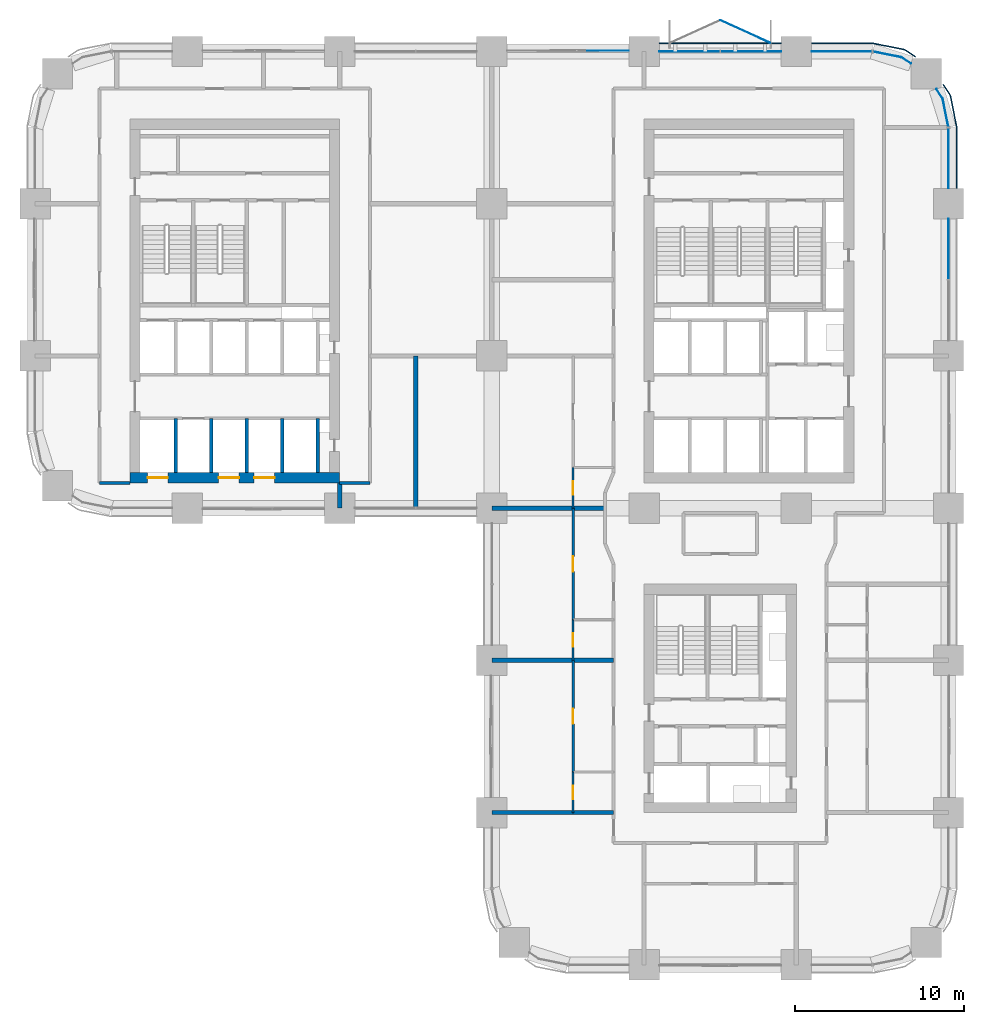
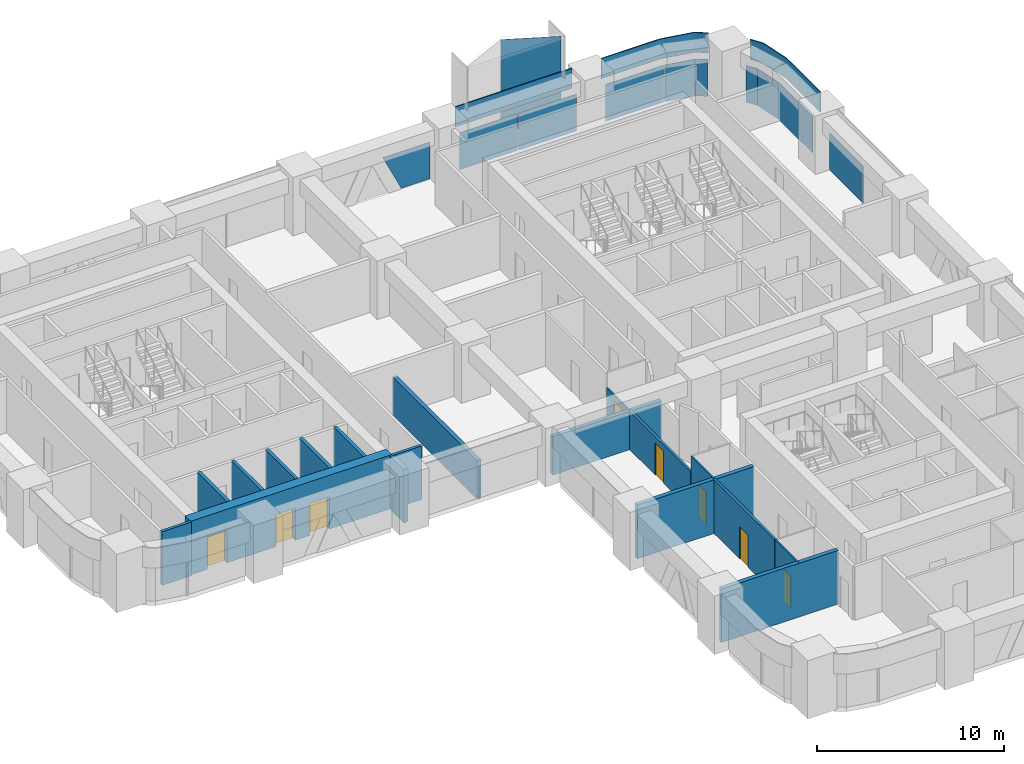
# One storey, part 11 of 26: 18 walls, 12 plates, 8 doors, 8 openings, 5 elements without a shape of their own.
"""IFC4 building model written with IfcOpenShell, lengths in metres."""

from ifc_helpers import new_model, si_unit, direction, frame, frame_2d, origin, origin_2d, place, context, subcontext, project, spatial, polyline, rectangle, outline, extrude, material, layer, layer_set, type_object, element, fill, aggregate, save


model = new_model("IFC4")

# Units and contexts
model_context = context("Model", 3, precision=1e-05, world=origin(), true_north=direction((0.0, 1.0)))
body_context = subcontext(model_context, "Body", "Model", "MODEL_VIEW")
ifc_project = project(units=[si_unit("LENGTHUNIT", "METRE"), si_unit("AREAUNIT", "SQUARE_METRE"), si_unit("VOLUMEUNIT", "CUBIC_METRE"), si_unit("PLANEANGLEUNIT", "RADIAN"), si_unit("MASSUNIT", "GRAM", prefix="KILO")], contexts=[model_context])

# Site, building, storey
site_placement = place(None, origin())
site = spatial("IfcSite", under=ifc_project, at=site_placement, CompositionType="ELEMENT")
building_placement = place(site_placement, origin())
building = spatial("IfcBuilding", under=site, at=building_placement, Name="Tessera Arch", CompositionType="ELEMENT")
storey_placement = place(building_placement, frame((0.0, 0.0, 96.800048828125)))
storey = spatial("IfcBuildingStorey", under=building, at=storey_placement, Name="L22", CompositionType="ELEMENT", Elevation=96.800048828125)

# Curtain wall, plates
ifc_material_1 = material(Name="CW1 curtain wall")
curtain_wall_type_1 = type_object("IfcCurtainWallType", Name="CW1 curtain wall", PredefinedType="NOTDEFINED", material=ifc_material_1)
curtain_wall_1_placement = place(storey_placement, origin())
curtain_wall_1 = element("IfcCurtainWall", 1, at=curtain_wall_1_placement, inside=storey, type_object=curtain_wall_type_1, Name="CW1 curtain wall N54.0/0 L22", PredefinedType="NOTDEFINED")
ifc_material_2 = material(Name="Clear low-e glass", Category="glass")
ifc_material_3 = material(Name="Clear low-e glass", Category="glass")
ifc_layer_1 = layer(ifc_material_3, 0.028076171875)
ifc_layer_set_1 = layer_set([ifc_layer_1], Name="CW1 glass panel")
plate_type_1 = type_object("IfcPlateType", Name="CW1 glass panel", PredefinedType="CURTAIN_PANEL", material=ifc_layer_set_1)
plate_1_placement = place(storey_placement, frame((42.31494140625, 54.0, 0.0), z_axis=(0.0, 0.0, 1.0), x_axis=(-1.0, 0.0, 0.0)))
plate_1 = element("IfcPlate", 2, at=plate_1_placement, type_object=plate_type_1, material=ifc_material_2, Name="CW1 glass panel N54.0/0 1.1.1", PredefinedType="CURTAIN_PANEL", context=body_context, shape_type="SweptSolid", body=[
    extrude(rectangle(XDim=3.570068359375, YDim=0.028076171875, at=origin_2d()), origin(), (0.0, 0.0, 1.0), 2.39990234375),
])
plate_2_placement = place(storey_placement, frame((38.68505859375, 54.0, 0.0), z_axis=(0.0, 0.0, 1.0), x_axis=(-1.0, 0.0, 0.0)))
plate_2 = element("IfcPlate", 3, at=plate_2_placement, type_object=plate_type_1, material=ifc_material_2, Name="CW1 glass panel N54.0/0 1.2.1", PredefinedType="CURTAIN_PANEL", context=body_context, shape_type="SweptSolid", body=[
    extrude(rectangle(XDim=3.570068359375, YDim=0.028076171875, at=origin_2d()), origin(), (0.0, 0.0, 1.0), 2.39990234375),
])

# Curtain wall, plate
curtain_wall_2_placement = place(storey_placement, origin())
curtain_wall_2 = element("IfcCurtainWall", 4, at=curtain_wall_2_placement, inside=storey, type_object=curtain_wall_type_1, Name="CW1 curtain wall E54.0/4 L22", PredefinedType="NOTDEFINED")
plate_3_placement = place(storey_placement, frame((54.0, 42.31494140625, 0.0), z_axis=(0.0, 0.0, 1.0), x_axis=(0.0, 1.0, 0.0)))
plate_3 = element("IfcPlate", 5, at=plate_3_placement, type_object=plate_type_1, material=ifc_material_2, Name="CW1 glass panel E54.0/4 1.2.1", PredefinedType="CURTAIN_PANEL", context=body_context, shape_type="SweptSolid", body=[
    extrude(rectangle(XDim=3.570068359375, YDim=0.028076171875, at=origin_2d()), origin(), (0.0, 0.0, 1.0), 2.39990234375),
])
aggregate(curtain_wall_2, [plate_3])

# Plate
ifc_material_4 = material(Name="Pale anodised aluminium panel", Category="aluminium")
ifc_layer_2 = layer(ifc_material_4, 0.06005859375)
ifc_layer_set_2 = layer_set([ifc_layer_2], Name="CW1 spandrel panel")
plate_type_2 = type_object("IfcPlateType", Name="CW1 spandrel panel", PredefinedType="CURTAIN_PANEL", material=ifc_layer_set_2)
plate_4_placement = place(storey_placement, frame((40.5, 54.47998046875, 2.5), z_axis=(0.0, 0.0, 1.0), x_axis=(-1.0, 0.0, 0.0)))
plate_4 = element("IfcPlate", 6, at=plate_4_placement, type_object=plate_type_2, Name="CW1 spandrel panel N54.0/0", PredefinedType="CURTAIN_PANEL", context=body_context, shape_type="SweptSolid", body=[
    extrude(rectangle(XDim=7.199951171875, YDim=0.06005859375, at=origin_2d()), origin(), (0.0, 0.0, 1.0), 1.300048828125),
])

aggregate(curtain_wall_1, [plate_1, plate_2, plate_4])

# Curtain wall, plates
ifc_material_5 = material(Name="CW2 curtain wall")
curtain_wall_type_2 = type_object("IfcCurtainWallType", Name="CW2 curtain wall", PredefinedType="NOTDEFINED", material=ifc_material_5)
curtain_wall_3_placement = place(storey_placement, origin())
curtain_wall_3 = element("IfcCurtainWall", 7, at=curtain_wall_3_placement, inside=storey, type_object=curtain_wall_type_2, Name="CW2 curtain wall E54.0/5 L22", PredefinedType="NOTDEFINED")
ifc_material_6 = material(Name="Clear low-e glass", Category="glass")
ifc_layer_3 = layer(ifc_material_6, 0.028076171875)
ifc_layer_set_3 = layer_set([ifc_layer_3], Name="CW2 glass panel")
plate_type_3 = type_object("IfcPlateType", Name="CW2 glass panel", PredefinedType="CURTAIN_PANEL", material=ifc_layer_set_3)
plate_5_placement = place(storey_placement, frame((54.0, 47.679931640625, 0.0), z_axis=(0.0, 0.0, 1.0), x_axis=(0.0, 1.0, 0.0)))
plate_5 = element("IfcPlate", 8, at=plate_5_placement, type_object=plate_type_3, material=ifc_material_2, Name="CW2 glass panel E54.0/5 1.1", PredefinedType="CURTAIN_PANEL", context=body_context, shape_type="SweptSolid", body=[
    extrude(rectangle(XDim=3.56005859375, YDim=0.028076171875, at=origin_2d()), origin(), (0.0, 0.0, 1.0), 2.39990234375),
])
plate_6_placement = place(storey_placement, origin())
plate_6 = element("IfcPlate", 9, at=plate_6_placement, type_object=plate_type_3, material=ifc_material_2, Name="CW2 curved glass panel E54.0/5 2.1", PredefinedType="CURTAIN_PANEL", context=body_context, shape_type="SweptSolid", body=[
    extrude(outline(polyline([(53.644287109375, 51.216552734375), (53.978515625, 49.53662109375), (54.005859375, 49.5419921875), (53.670654296875, 51.2275390625), (53.294921875, 51.789794921875), (53.271728515625, 51.774169921875), (53.644287109375, 51.216552734375)])), origin(), (0.0, 0.0, 1.0), 2.39990234375),
])

curtain_wall_4_placement = place(storey_placement, origin())
curtain_wall_4 = element("IfcCurtainWall", 10, at=curtain_wall_4_placement, inside=storey, type_object=curtain_wall_type_2, Name="CW2 curtain wall N54.0/5 L22", PredefinedType="NOTDEFINED")
plate_7_placement = place(storey_placement, frame((47.679931640625, 54.0, 0.0), z_axis=(0.0, 0.0, 1.0), x_axis=(-1.0, 0.0, 0.0)))
plate_7 = element("IfcPlate", 11, at=plate_7_placement, type_object=plate_type_3, material=ifc_material_2, Name="CW2 glass panel N54.0/5 1.1", PredefinedType="CURTAIN_PANEL", context=body_context, shape_type="SweptSolid", body=[
    extrude(rectangle(XDim=3.56005859375, YDim=0.028076171875, at=origin_2d()), origin(), (0.0, 0.0, 1.0), 2.39990234375),
])
plate_8_placement = place(storey_placement, origin())
plate_8 = element("IfcPlate", 12, at=plate_8_placement, type_object=plate_type_3, material=ifc_material_2, Name="CW2 curved glass panel N54.0/5 2.1", PredefinedType="CURTAIN_PANEL", context=body_context, shape_type="SweptSolid", body=[
    extrude(outline(polyline([(51.216552734375, 53.644287109375), (51.774169921875, 53.271728515625), (51.789794921875, 53.294921875), (51.2275390625, 53.670654296875), (49.5419921875, 54.005859375), (49.53662109375, 53.978515625), (51.216552734375, 53.644287109375)])), origin(), (0.0, 0.0, 1.0), 2.39990234375),
])

# Plate
ifc_material_7 = material(Name="Pale anodised aluminium panel", Category="aluminium")
ifc_layer_4 = layer(ifc_material_7, 0.06005859375)
ifc_layer_set_4 = layer_set([ifc_layer_4], Name="CW2 spandrel panel")
plate_type_4 = type_object("IfcPlateType", Name="CW2 spandrel panel", PredefinedType="CURTAIN_PANEL", material=ifc_layer_set_4)
plate_9_placement = place(storey_placement, frame((0.0, 0.0, 2.5)))
plate_9 = element("IfcPlate", 13, at=plate_9_placement, type_object=plate_type_4, Name="CW2 spandrel panel E54.0/5", PredefinedType="CURTAIN_PANEL", context=body_context, shape_type="SweptSolid", body=[
    extrude(outline(polyline([(54.449951171875, 49.499267578125), (54.449951171875, 45.89990234375), (54.510009765625, 45.89990234375), (54.510009765625, 49.500732421875), (54.507568359375, 49.550048828125), (54.500244140625, 49.598876953125), (54.157470703125, 51.322265625), (54.1455078125, 51.3701171875), (54.128662109375, 51.417236328125), (54.107177734375, 51.462646484375), (54.08203125, 51.5048828125), (53.707275390625, 52.0654296875), (53.657470703125, 52.031982421875), (54.03125, 51.47265625), (54.05419921875, 51.434326171875), (54.0732421875, 51.394287109375), (54.088134765625, 51.352783203125), (54.09912109375, 51.30908203125), (54.441162109375, 49.588623046875), (54.44775390625, 49.544189453125), (54.449951171875, 49.499267578125)])), origin(), (0.0, 0.0, 1.0), 1.300048828125),
])

aggregate(curtain_wall_3, [plate_5, plate_6, plate_9])

plate_10_placement = place(storey_placement, frame((0.0, 0.0, 2.5)))
plate_10 = element("IfcPlate", 14, at=plate_10_placement, type_object=plate_type_4, Name="CW2 spandrel panel N54.0/5", PredefinedType="CURTAIN_PANEL", context=body_context, shape_type="SweptSolid", body=[
    extrude(outline(polyline([(51.47265625, 54.03125), (52.031982421875, 53.657470703125), (52.0654296875, 53.707275390625), (51.5048828125, 54.08203125), (51.462646484375, 54.107177734375), (51.417236328125, 54.128662109375), (51.3701171875, 54.1455078125), (51.322265625, 54.157470703125), (49.598876953125, 54.500244140625), (49.550048828125, 54.507568359375), (49.500732421875, 54.510009765625), (45.89990234375, 54.510009765625), (45.89990234375, 54.449951171875), (49.499267578125, 54.449951171875), (49.544189453125, 54.44775390625), (49.588623046875, 54.441162109375), (51.30908203125, 54.09912109375), (51.352783203125, 54.088134765625), (51.394287109375, 54.0732421875), (51.434326171875, 54.05419921875), (51.47265625, 54.03125)])), origin(), (0.0, 0.0, 1.0), 1.300048828125),
])

aggregate(curtain_wall_4, [plate_7, plate_8, plate_10])

# Curtain wall, plate
ifc_material_8 = material(Name="CW3 curtain wall")
curtain_wall_type_3 = type_object("IfcCurtainWallType", Name="CW3 curtain wall", PredefinedType="NOTDEFINED", material=ifc_material_8)
curtain_wall_5_placement = place(storey_placement, origin())
curtain_wall_5 = element("IfcCurtainWall", 15, at=curtain_wall_5_placement, inside=storey, type_object=curtain_wall_type_3, Name="CW3 curtain wall N54.0/1 L22", PredefinedType="NOTDEFINED")
ifc_material_9 = material(Name="Clear low-e glass", Category="glass")
ifc_layer_5 = layer(ifc_material_9, 0.028076171875)
ifc_layer_set_5 = layer_set([ifc_layer_5], Name="CW3 glass panel")
plate_type_5 = type_object("IfcPlateType", Name="CW3 glass panel", PredefinedType="CURTAIN_PANEL", material=ifc_layer_set_5)
plate_11_placement = place(storey_placement, frame((35.10009765625, 54.05810546875, 0.0), z_axis=(0.0, 1.0, 0.0), x_axis=(-1.0, 0.0, 0.0)))
plate_11 = element("IfcPlate", 16, at=plate_11_placement, type_object=plate_type_5, material=ifc_material_2, Name="CW3 triangulated glass panel N54.0/1 1", PredefinedType="CURTAIN_PANEL", context=body_context, shape_type="SweptSolid", body=[
    extrude(outline(polyline([(0.0, 0.0), (1.780029296875, 0.0), (2.916748046875, 2.39990234375), (0.0, 2.39990234375), (0.0, 0.0)])), origin(), (0.0, 0.0, -1.0), 0.028076171875),
])
aggregate(curtain_wall_5, [plate_11])

# Plate
ifc_material_10 = material(Name="Clear low-e glass", Category="glass")
ifc_layer_6 = layer(ifc_material_10, 0.028076171875)
ifc_layer_set_6 = layer_set([ifc_layer_6], Name="Window box glass facet")
plate_type_6 = type_object("IfcPlateType", Name="Window box glass facet", PredefinedType="SHEET", material=ifc_layer_set_6)
plate_12_placement = place(storey_placement, frame((41.97509765625, 55.179931640625, 0.2197265625), z_axis=(0.0, 0.0, 1.0), x_axis=(-0.910472144558, 0.413570397858, 0.0)))
element("IfcPlate", 17, at=plate_12_placement, inside=storey, type_object=plate_type_6, Name="Window box N54.0/0.0 2x2 glass", PredefinedType="SHEET", context=body_context, shape_type="SweptSolid", body=[
    extrude(rectangle(XDim=3.239990234375, YDim=0.028076171875, at=origin_2d()), origin(), (0.0, 0.0, 1.0), 5.860107421875),
])

# Wall, openings, doors
ifc_material_11 = material(Name="Concrete C70/85", Category="concrete")
ifc_layer_7 = layer(ifc_material_11, 0.60009765625)
ifc_layer_set_7 = layer_set([ifc_layer_7], Name="Core shell wall 600 C70-85")
wall_type_1 = type_object("IfcWallType", Name="Core shell wall 600 C70-85", PredefinedType="SHEAR", material=ifc_layer_set_7)
wall_1_placement = place(storey_placement, frame((5.60009765625, 28.800048828125, 0.0), z_axis=(0.0, 0.0, 1.0), x_axis=(1.0, 0.0, 0.0)))
wall_1 = element("IfcWall", 18, at=wall_1_placement, inside=storey, type_object=wall_type_1, Name="L22 C2 core wall S", PredefinedType="SHEAR", context=body_context, shape_type="SweptSolid", body=[
    extrude(rectangle(XDim=12.39990234375, YDim=0.60009765625, at=frame_2d((6.199951171875, 0.0))), origin(), (0.0, 0.0, 1.0), 3.5),
])
opening_1_placement = place(wall_1_placement, frame((1.050048828125, 0.0, 0.0)))
opening_1 = element("IfcOpeningElement", 19, at=opening_1_placement, cuts=wall_1, Name="Opening L22-C13", PredefinedType="OPENING", context=body_context, shape_type="SweptSolid", body=[
    extrude(rectangle(XDim=1.199951171875, YDim=2.10009765625, at=frame_2d((0.60009765625, 1.050048828125))), frame((0.0, 0.31005859375, 0.0), z_axis=(0.0, -1.0, 0.0), x_axis=(1.0, 0.0, 0.0)), (0.0, 0.0, 1.0), 0.6201171875),
])
opening_2_placement = place(wall_1_placement, frame((5.25, 0.0, 0.0)))
opening_2 = element("IfcOpeningElement", 20, at=opening_2_placement, cuts=wall_1, Name="Opening L22-C15", PredefinedType="OPENING", context=body_context, shape_type="SweptSolid", body=[
    extrude(rectangle(XDim=1.199951171875, YDim=2.10009765625, at=frame_2d((0.60009765625, 1.050048828125))), frame((0.0, 0.31005859375, 0.0), z_axis=(0.0, -1.0, 0.0), x_axis=(1.0, 0.0, 0.0)), (0.0, 0.0, 1.0), 0.6201171875),
])
opening_3_placement = place(wall_1_placement, frame((7.35009765625, 0.0, 0.0)))
opening_3 = element("IfcOpeningElement", 21, at=opening_3_placement, cuts=wall_1, Name="Opening L22-C16", PredefinedType="OPENING", context=body_context, shape_type="SweptSolid", body=[
    extrude(rectangle(XDim=1.199951171875, YDim=2.10009765625, at=frame_2d((0.60009765625, 1.050048828125))), frame((0.0, 0.31005859375, 0.0), z_axis=(0.0, -1.0, 0.0), x_axis=(1.0, 0.0, 0.0)), (0.0, 0.0, 1.0), 0.6201171875),
])
ifc_material_12 = material(Name="Stainless steel AISI 304", Category="steel")
door_type_1 = type_object("IfcDoorType", Name="Sliding landing door 1200 x 2100", OperationType="SLIDING_TO_LEFT", PredefinedType="DOOR", material=ifc_material_12)
door_1_placement = place(opening_1_placement, origin())
door_1 = element("IfcDoor", 22, at=door_1_placement, inside=storey, type_object=door_type_1, Name="L22 LR1 lift landing door C13 type LD", OperationType="SLIDING_TO_LEFT", OverallHeight=2.10009765625, OverallWidth=1.199951171875, PredefinedType="DOOR", context=body_context, shape_type="SweptSolid", body=[
    extrude(rectangle(XDim=1.199951171875, YDim=2.10009765625, at=frame_2d((0.60009765625, 1.050048828125))), frame((0.0, 0.02490234375, 0.0), z_axis=(0.0, -1.0, 0.0), x_axis=(1.0, 0.0, 0.0)), (0.0, 0.0, 1.0), 0.050048828125),
])
fill(opening_1, door_1)
door_2_placement = place(opening_2_placement, origin())
door_2 = element("IfcDoor", 23, at=door_2_placement, inside=storey, type_object=door_type_1, Name="L22 LR3 lift landing door C15 type LD", OperationType="SLIDING_TO_LEFT", OverallHeight=2.10009765625, OverallWidth=1.199951171875, PredefinedType="DOOR", context=body_context, shape_type="SweptSolid", body=[
    extrude(rectangle(XDim=1.199951171875, YDim=2.10009765625, at=frame_2d((0.60009765625, 1.050048828125))), frame((0.0, 0.02490234375, 0.0), z_axis=(0.0, -1.0, 0.0), x_axis=(1.0, 0.0, 0.0)), (0.0, 0.0, 1.0), 0.050048828125),
])
fill(opening_2, door_2)
door_3_placement = place(opening_3_placement, origin())
door_3 = element("IfcDoor", 24, at=door_3_placement, inside=storey, type_object=door_type_1, Name="L22 LR4 lift landing door C16 type LD", OperationType="SLIDING_TO_LEFT", OverallHeight=2.10009765625, OverallWidth=1.199951171875, PredefinedType="DOOR", context=body_context, shape_type="SweptSolid", body=[
    extrude(rectangle(XDim=1.199951171875, YDim=2.10009765625, at=frame_2d((0.60009765625, 1.050048828125))), frame((0.0, 0.02490234375, 0.0), z_axis=(0.0, -1.0, 0.0), x_axis=(1.0, 0.0, 0.0)), (0.0, 0.0, 1.0), 0.050048828125),
])
fill(opening_3, door_3)

# Walls
ifc_material_13 = material(Name="Gypsum board on deep steel stud with mineral wool", Category="steel")
ifc_layer_8 = layer(ifc_material_13, 0.175048828125)
ifc_layer_set_8 = layer_set([ifc_layer_8], Name="Corridor wall 175 EI 60")
wall_type_2 = type_object("IfcWallType", Name="Corridor wall 175 EI 60", PredefinedType="PARTITIONING", material=ifc_layer_set_8)
for number, where, z_axis, x_axis, name in (
    (25, (3.800048828125, 28.5, 0.0), (0.0, 0.0, 1.0), (1.0, 0.0, 0.0), "L22 partition 5"),
    (26, (18.0, 28.5, 0.0), (0.0, 0.0, 1.0), (1.0, 0.0, 0.0), "L22 partition 6"),
):
    element("IfcWall", number, at=place(storey_placement, frame(where, z_axis=z_axis, x_axis=x_axis)), inside=storey, type_object=wall_type_2, Name=name, PredefinedType="PARTITIONING", context=body_context, shape_type="SweptSolid", body=[
        extrude(rectangle(XDim=1.800048828125, YDim=0.175048828125, at=frame_2d((0.89990234375, 0.0))), origin(), (0.0, 0.0, 1.0), 3.5),
    ])

# Wall, opening, door
ifc_material_14 = material(Name="Gypsum board on steel stud", Category="steel")
ifc_layer_9 = layer(ifc_material_14, 0.14990234375)
ifc_layer_set_9 = layer_set([ifc_layer_9], Name="Partition 150")
wall_type_3 = type_object("IfcWallType", Name="Partition 150", PredefinedType="PARTITIONING", material=ifc_layer_set_9)
wall_2_placement = place(storey_placement, frame((31.800048828125, 11.39990234375, 0.0), z_axis=(0.0, 0.0, 1.0), x_axis=(0.0, 1.0, 0.0)))
wall_2 = element("IfcWall", 27, at=wall_2_placement, inside=storey, type_object=wall_type_3, Name="L22 partition 20", PredefinedType="PARTITIONING", context=body_context, shape_type="SweptSolid", body=[
    extrude(rectangle(XDim=6.60009765625, YDim=0.14990234375, at=frame_2d((3.300048828125, 0.0))), origin(), (0.0, 0.0, 1.0), 3.5),
])
opening_4_placement = place(wall_2_placement, frame((2.85009765625, 0.0, 0.0)))
opening_4 = element("IfcOpeningElement", 28, at=opening_4_placement, cuts=wall_2, Name="Opening L22-D007", PredefinedType="OPENING", context=body_context, shape_type="SweptSolid", body=[
    extrude(rectangle(XDim=0.89990234375, YDim=2.10009765625, at=frame_2d((0.449951171875, 1.050048828125))), frame((0.0, 0.0849609375, 0.0), z_axis=(0.0, -1.0, 0.0), x_axis=(1.0, 0.0, 0.0)), (0.0, 0.0, 1.0), 0.169921875),
])
ifc_material_15 = material(Name="Timber door leaf", Category="wood")
door_type_2 = type_object("IfcDoorType", Name="Room door 900 x 2100", OperationType="SINGLE_SWING_LEFT", PredefinedType="DOOR", material=ifc_material_15)
door_4_placement = place(opening_4_placement, origin())
door_4 = element("IfcDoor", 29, at=door_4_placement, inside=storey, type_object=door_type_2, Name="L22 door D007 type D01", OperationType="SINGLE_SWING_LEFT", OverallHeight=2.10009765625, OverallWidth=0.89990234375, PredefinedType="DOOR", context=body_context, shape_type="SweptSolid", body=[
    extrude(rectangle(XDim=0.89990234375, YDim=2.10009765625, at=frame_2d((0.449951171875, 1.050048828125))), frame((0.0, 0.02490234375, 0.0), z_axis=(0.0, -1.0, 0.0), x_axis=(1.0, 0.0, 0.0)), (0.0, 0.0, 1.0), 0.050048828125),
])
fill(opening_4, door_4)

wall_3_placement = place(storey_placement, frame((31.800048828125, 20.39990234375, 0.0), z_axis=(0.0, 0.0, 1.0), x_axis=(0.0, 1.0, 0.0)))
wall_3 = element("IfcWall", 30, at=wall_3_placement, inside=storey, type_object=wall_type_3, Name="L22 partition 21", PredefinedType="PARTITIONING", context=body_context, shape_type="SweptSolid", body=[
    extrude(rectangle(XDim=6.60009765625, YDim=0.14990234375, at=frame_2d((3.300048828125, 0.0))), origin(), (0.0, 0.0, 1.0), 2.5),
])
opening_5_placement = place(wall_3_placement, frame((2.85009765625, 0.0, 0.0)))
opening_5 = element("IfcOpeningElement", 31, at=opening_5_placement, cuts=wall_3, Name="Opening L22-D016", PredefinedType="OPENING", context=body_context, shape_type="SweptSolid", body=[
    extrude(rectangle(XDim=0.89990234375, YDim=2.10009765625, at=frame_2d((0.449951171875, 1.050048828125))), frame((0.0, 0.0849609375, 0.0), z_axis=(0.0, -1.0, 0.0), x_axis=(1.0, 0.0, 0.0)), (0.0, 0.0, 1.0), 0.169921875),
])
door_5_placement = place(opening_5_placement, origin())
door_5 = element("IfcDoor", 32, at=door_5_placement, inside=storey, type_object=door_type_2, Name="L22 door D016 type D01", OperationType="SINGLE_SWING_RIGHT", OverallHeight=2.10009765625, OverallWidth=0.89990234375, PredefinedType="DOOR", context=body_context, shape_type="SweptSolid", body=[
    extrude(rectangle(XDim=0.89990234375, YDim=2.10009765625, at=frame_2d((0.449951171875, 1.050048828125))), frame((0.0, 0.02490234375, 0.0), z_axis=(0.0, -1.0, 0.0), x_axis=(1.0, 0.0, 0.0)), (0.0, 0.0, 1.0), 0.050048828125),
])
fill(opening_5, door_5)

# Walls
ifc_material_16 = material(Name="Double gypsum board on twin steel stud with acoustic mineral wool", Category="steel")
ifc_layer_10 = layer(ifc_material_16, 0.25)
ifc_layer_set_10 = layer_set([ifc_layer_10], Name="Party wall 250 EI 60")
wall_type_4 = type_object("IfcWallType", Name="Party wall 250 EI 60", PredefinedType="PARTITIONING", material=ifc_layer_set_10)
for number, where, z_axis, x_axis, name in (
    (33, (27.0, 9.0, 0.0), (0.0, 0.0, 1.0), (1.0, 0.0, 0.0), "L22 partition 25"),
    (34, (27.0, 18.0, 0.0), (0.0, 0.0, 1.0), (1.0, 0.0, 0.0), "L22 partition 27"),
):
    element("IfcWall", number, at=place(storey_placement, frame(where, z_axis=z_axis, x_axis=x_axis)), inside=storey, type_object=wall_type_4, Name=name, PredefinedType="PARTITIONING", context=body_context, shape_type="SweptSolid", body=[
        extrude(rectangle(XDim=7.199951171875, YDim=0.25, at=frame_2d((3.60009765625, 0.0))), origin(), (0.0, 0.0, 1.0), 3.5),
    ])
wall_4_placement = place(storey_placement, frame((27.0, 27.0, 0.0), z_axis=(0.0, 0.0, 1.0), x_axis=(1.0, 0.0, 0.0)))
element("IfcWall", 35, at=wall_4_placement, inside=storey, type_object=wall_type_4, Name="L22 partition 30", PredefinedType="PARTITIONING", context=body_context, shape_type="SweptSolid", body=[
    extrude(rectangle(XDim=6.699951171875, YDim=0.25, at=frame_2d((3.35009765625, 0.0))), origin(), (0.0, 0.0, 1.0), 2.5),
])
wall_5_placement = place(storey_placement, frame((18.0, 27.0, 0.0), z_axis=(0.0, 0.0, 1.0), x_axis=(0.0, 1.0, 0.0)))
element("IfcWall", 36, at=wall_5_placement, inside=storey, type_object=wall_type_4, Name="L22 partition 40", PredefinedType="PARTITIONING", context=body_context, shape_type="SweptSolid", body=[
    extrude(rectangle(XDim=1.5, YDim=0.25, at=frame_2d((0.75, 0.0))), origin(), (0.0, 0.0, 1.0), 3.5),
])
wall_6_placement = place(storey_placement, frame((22.5, 27.0, 0.0), z_axis=(0.0, 0.0, 1.0), x_axis=(0.0, 1.0, 0.0)))
element("IfcWall", 37, at=wall_6_placement, inside=storey, type_object=wall_type_4, Name="L22 partition 42", PredefinedType="PARTITIONING", context=body_context, shape_type="SweptSolid", body=[
    extrude(rectangle(XDim=9.0, YDim=0.25, at=frame_2d((4.5, 0.0))), origin(), (0.0, 0.0, 1.0), 2.5),
])
ifc_material_17 = material(Name="Concrete C40/50", Category="concrete")
ifc_layer_11 = layer(ifc_material_17, 0.199951171875)
ifc_layer_set_11 = layer_set([ifc_layer_11], Name="Shaft wall 200 EI 120")
wall_type_5 = type_object("IfcWallType", Name="Shaft wall 200 EI 120", PredefinedType="SOLIDWALL", material=ifc_layer_set_11)
for number, where, z_axis, x_axis, name in (
    (38, (8.300048828125, 29.10009765625, 0.0), (0.0, 0.0, 1.0), (0.0, 1.0, 0.0), "L22 C2 shaft wall 1"),
    (39, (10.39990234375, 29.10009765625, 0.0), (0.0, 0.0, 1.0), (0.0, 1.0, 0.0), "L22 C2 shaft wall 6"),
    (40, (12.5, 29.10009765625, 0.0), (0.0, 0.0, 1.0), (0.0, 1.0, 0.0), "L22 C2 shaft wall 8"),
    (41, (14.60009765625, 29.10009765625, 0.0), (0.0, 0.0, 1.0), (0.0, 1.0, 0.0), "L22 C2 shaft wall 12"),
    (42, (16.699951171875, 29.10009765625, 0.0), (0.0, 0.0, 1.0), (0.0, 1.0, 0.0), "L22 C2 shaft wall 15"),
):
    element("IfcWall", number, at=place(storey_placement, frame(where, z_axis=z_axis, x_axis=x_axis)), inside=storey, type_object=wall_type_5, Name=name, PredefinedType="SOLIDWALL", context=body_context, shape_type="SweptSolid", body=[
        extrude(rectangle(XDim=3.199951171875, YDim=0.199951171875, at=frame_2d((1.60009765625, 0.0))), origin(), (0.0, 0.0, 1.0), 3.5),
    ])

# Wall, opening, door
ifc_material_18 = material(Name="Moisture-resistant board on pre-plumbed steel stud", Category="steel")
ifc_layer_12 = layer(ifc_material_18, 0.10009765625)
ifc_layer_set_12 = layer_set([ifc_layer_12], Name="Wet wall 100")
wall_type_6 = type_object("IfcWallType", Name="Wet wall 100", PredefinedType="PARTITIONING", material=ifc_layer_set_12)
wall_7_placement = place(storey_placement, frame((31.800048828125, 9.0, 0.0), z_axis=(0.0, 0.0, 1.0), x_axis=(0.0, 1.0, 0.0)))
wall_7 = element("IfcWall", 43, at=wall_7_placement, inside=storey, type_object=wall_type_6, Name="L22 partition 53", PredefinedType="PARTITIONING", context=body_context, shape_type="SweptSolid", body=[
    extrude(rectangle(XDim=2.39990234375, YDim=0.10009765625, at=frame_2d((1.199951171875, 0.0))), origin(), (0.0, 0.0, 1.0), 3.5),
])
opening_6_placement = place(wall_7_placement, frame((0.800048828125, 0.0, 0.0)))
opening_6 = element("IfcOpeningElement", 44, at=opening_6_placement, cuts=wall_7, Name="Opening L22-D008", PredefinedType="OPENING", context=body_context, shape_type="SweptSolid", body=[
    extrude(rectangle(XDim=0.800048828125, YDim=2.10009765625, at=frame_2d((0.39990234375, 1.050048828125))), frame((0.0, 0.06005859375, 0.0), z_axis=(0.0, -1.0, 0.0), x_axis=(1.0, 0.0, 0.0)), (0.0, 0.0, 1.0), 0.1201171875),
])
ifc_material_19 = material(Name="Timber door leaf", Category="wood")
door_type_3 = type_object("IfcDoorType", Name="En-suite door 800 x 2100", OperationType="SINGLE_SWING_LEFT", PredefinedType="DOOR", material=ifc_material_19)
door_6_placement = place(opening_6_placement, origin())
door_6 = element("IfcDoor", 45, at=door_6_placement, inside=storey, type_object=door_type_3, Name="L22 door D008 type D02", OperationType="SINGLE_SWING_RIGHT", OverallHeight=2.10009765625, OverallWidth=0.800048828125, PredefinedType="DOOR", context=body_context, shape_type="SweptSolid", body=[
    extrude(rectangle(XDim=0.800048828125, YDim=2.10009765625, at=frame_2d((0.39990234375, 1.050048828125))), frame((0.0, 0.02490234375, 0.0), z_axis=(0.0, -1.0, 0.0), x_axis=(1.0, 0.0, 0.0)), (0.0, 0.0, 1.0), 0.050048828125),
])
fill(opening_6, door_6)

wall_8_placement = place(storey_placement, frame((31.800048828125, 18.0, 0.0), z_axis=(0.0, 0.0, 1.0), x_axis=(0.0, 1.0, 0.0)))
wall_8 = element("IfcWall", 46, at=wall_8_placement, inside=storey, type_object=wall_type_6, Name="L22 partition 54", PredefinedType="PARTITIONING", context=body_context, shape_type="SweptSolid", body=[
    extrude(rectangle(XDim=2.39990234375, YDim=0.10009765625, at=frame_2d((1.199951171875, 0.0))), origin(), (0.0, 0.0, 1.0), 3.5),
])
opening_7_placement = place(wall_8_placement, frame((0.800048828125, 0.0, 0.0)))
opening_7 = element("IfcOpeningElement", 47, at=opening_7_placement, cuts=wall_8, Name="Opening L22-D017", PredefinedType="OPENING", context=body_context, shape_type="SweptSolid", body=[
    extrude(rectangle(XDim=0.800048828125, YDim=2.10009765625, at=frame_2d((0.39990234375, 1.050048828125))), frame((0.0, 0.06005859375, 0.0), z_axis=(0.0, -1.0, 0.0), x_axis=(1.0, 0.0, 0.0)), (0.0, 0.0, 1.0), 0.1201171875),
])
door_7_placement = place(opening_7_placement, origin())
door_7 = element("IfcDoor", 48, at=door_7_placement, inside=storey, type_object=door_type_3, Name="L22 door D017 type D02", OperationType="SINGLE_SWING_LEFT", OverallHeight=2.10009765625, OverallWidth=0.800048828125, PredefinedType="DOOR", context=body_context, shape_type="SweptSolid", body=[
    extrude(rectangle(XDim=0.800048828125, YDim=2.10009765625, at=frame_2d((0.39990234375, 1.050048828125))), frame((0.0, 0.02490234375, 0.0), z_axis=(0.0, -1.0, 0.0), x_axis=(1.0, 0.0, 0.0)), (0.0, 0.0, 1.0), 0.050048828125),
])
fill(opening_7, door_7)

wall_9_placement = place(storey_placement, frame((31.800048828125, 27.0, 0.0), z_axis=(0.0, 0.0, 1.0), x_axis=(0.0, 1.0, 0.0)))
wall_9 = element("IfcWall", 49, at=wall_9_placement, inside=storey, type_object=wall_type_6, Name="L22 partition 55", PredefinedType="PARTITIONING", context=body_context, shape_type="SweptSolid", body=[
    extrude(rectangle(XDim=2.39990234375, YDim=0.10009765625, at=frame_2d((1.199951171875, 0.0))), origin(), (0.0, 0.0, 1.0), 2.5),
])
opening_8_placement = place(wall_9_placement, frame((0.800048828125, 0.0, 0.0)))
opening_8 = element("IfcOpeningElement", 50, at=opening_8_placement, cuts=wall_9, Name="Opening L22-D024", PredefinedType="OPENING", context=body_context, shape_type="SweptSolid", body=[
    extrude(rectangle(XDim=0.800048828125, YDim=2.10009765625, at=frame_2d((0.39990234375, 1.050048828125))), frame((0.0, 0.06005859375, 0.0), z_axis=(0.0, -1.0, 0.0), x_axis=(1.0, 0.0, 0.0)), (0.0, 0.0, 1.0), 0.1201171875),
])
door_8_placement = place(opening_8_placement, origin())
door_8 = element("IfcDoor", 51, at=door_8_placement, inside=storey, type_object=door_type_3, Name="L22 door D024 type D02", OperationType="SINGLE_SWING_RIGHT", OverallHeight=2.10009765625, OverallWidth=0.800048828125, PredefinedType="DOOR", context=body_context, shape_type="SweptSolid", body=[
    extrude(rectangle(XDim=0.800048828125, YDim=2.10009765625, at=frame_2d((0.39990234375, 1.050048828125))), frame((0.0, 0.02490234375, 0.0), z_axis=(0.0, -1.0, 0.0), x_axis=(1.0, 0.0, 0.0)), (0.0, 0.0, 1.0), 0.050048828125),
])
fill(opening_8, door_8)

save(model, "model.ifc")
